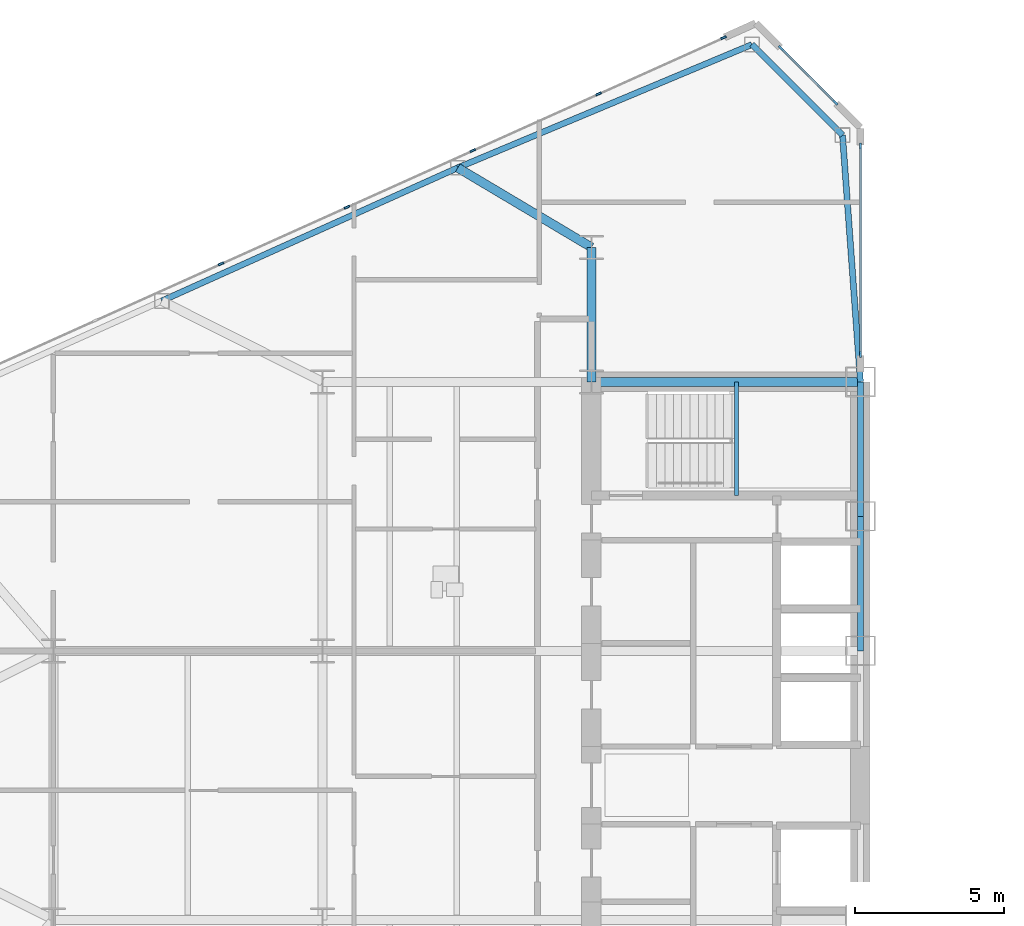
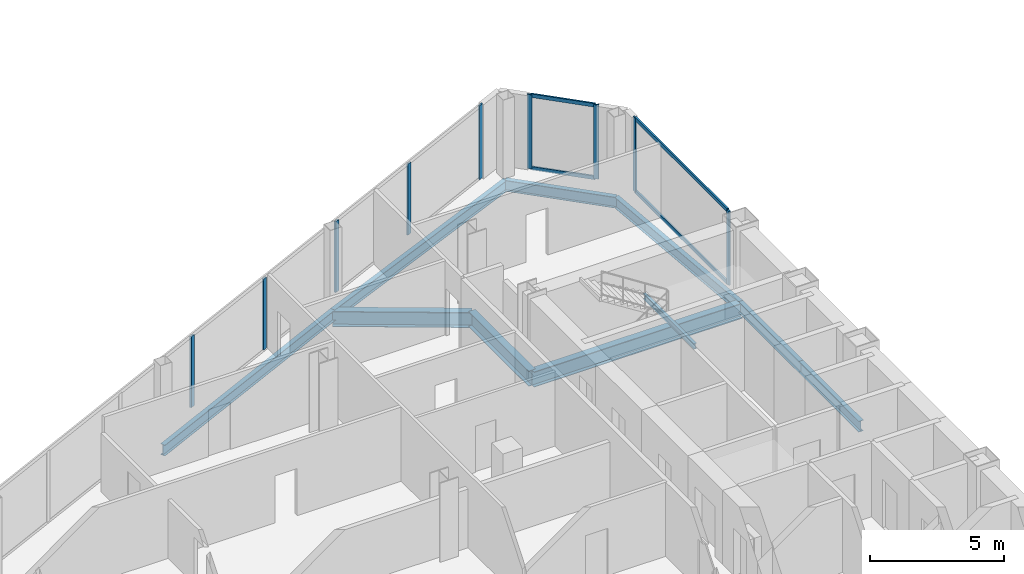
# One storey, part 9 of 27: 13 members, 10 beams, 3 elements without a shape of their own.
"""IFC4 building model written with IfcOpenShell, lengths in metres."""

from ifc_helpers import new_model, si_unit, direction, frame, origin, origin_2d, place, context, subcontext, project, spatial, rectangle, i_section, extrude, source, transform, mapped, material, layer, layer_set, material_profile, profile_set, type_object, type_shapes, element, aggregate, save


model = new_model("IFC4")

# Units and contexts
model_context = context("Model", 3, precision=1e-05, world=origin(), true_north=direction((0.0, 1.0)))
body_context = subcontext(model_context, "Body", "Model", "MODEL_VIEW")
ifc_project = project(units=[si_unit("LENGTHUNIT", "METRE"), si_unit("AREAUNIT", "SQUARE_METRE"), si_unit("VOLUMEUNIT", "CUBIC_METRE"), si_unit("PLANEANGLEUNIT", "RADIAN"), si_unit("MASSUNIT", "GRAM", prefix="KILO")], contexts=[model_context])

# Site, building, storey
site_placement = place(None, origin())
site = spatial("IfcSite", under=ifc_project, at=site_placement, CompositionType="ELEMENT")
building_placement = place(site_placement, origin())
building = spatial("IfcBuilding", under=site, at=building_placement, Name="Seokmaru Belvedere", CompositionType="ELEMENT")
storey_placement = place(building_placement, frame((0.0, 0.0, 69.300048828125)))
storey = spatial("IfcBuildingStorey", under=building, at=storey_placement, Name="L18", CompositionType="ELEMENT", Elevation=69.300048828125)

# Beams
ifc_material_1 = material(Name="Steel SM355 (355 MPa)", Category="steel")
ifc_material_profile_1 = material_profile(ifc_material_1, i_section(OverallWidth=0.199951171875, OverallDepth=0.5, WebThickness=0.010009765625, FlangeThickness=0.01611328125, at=origin_2d()), Name="H-500x200x10x16")
ifc_profile_set_1 = profile_set([ifc_material_profile_1], Name="Steel SM355 (355 MPa)")
beam_type_1 = type_object("IfcBeamType", Name="Perimeter Spandrel Beam H-500", PredefinedType="SPANDREL", material=ifc_profile_set_1)
shared_shape_1 = source(origin(), body_context, "Body", "SweptSolid", [
    extrude(i_section(OverallWidth=0.199951171875, OverallDepth=0.5, WebThickness=0.010009765625, FlangeThickness=0.01611328125, at=origin_2d()), origin(), (0.0, 0.0, 1.0), 4.5),
])
for number, where, z_axis, x_axis, name in (
    (1, (-27.5, 4.5, -0.469970703125), (0.0, 1.0, 0.0), (-1.0, 0.0, 0.0), "L18 W Portal Spine Spandrel 4"),
    (2, (-27.5, 9.0, -0.469970703125), (0.0, 1.0, 0.0), (-1.0, 0.0, 0.0), "L18 W Portal Spine Spandrel 5"),
):
    element("IfcBeam", number, at=place(storey_placement, frame(where, z_axis=z_axis, x_axis=x_axis)), inside=storey, type_object=beam_type_1, Name=name, PredefinedType="SPANDREL", context=body_context, shape_type="MappedRepresentation", body=[
        mapped(shared_shape_1, transform((0.0, 0.0, 0.0), scale=1.0)),
    ])
ifc_material_profile_2 = material_profile(ifc_material_1, i_section(OverallWidth=0.300048828125, OverallDepth=0.699951171875, WebThickness=0.012939453125, FlangeThickness=0.02392578125, at=origin_2d()), Name="H-700x300x13x24")
ifc_profile_set_2 = profile_set([ifc_material_profile_2], Name="Steel SM355 (355 MPa)")
beam_type_2 = type_object("IfcBeamType", Name="Primary Floor Girder H-700", PredefinedType="BEAM", material=ifc_profile_set_2)
shared_shape_2 = source(origin(), body_context, "Body", "SweptSolid", [
    extrude(i_section(OverallWidth=0.300048828125, OverallDepth=0.699951171875, WebThickness=0.012939453125, FlangeThickness=0.02392578125, at=origin_2d()), origin(), (0.0, 0.0, 1.0), 4.5),
])
beam_1_placement = place(storey_placement, frame((-36.5, 13.5, -0.570068359375), z_axis=(0.0, 1.0, 0.0), x_axis=(-1.0, 0.0, 0.0)))
element("IfcBeam", 3, at=beam_1_placement, inside=storey, type_object=beam_type_2, Name="L18 W Core Shoulder Girder N", PredefinedType="BEAM", context=body_context, shape_type="MappedRepresentation", body=[
    mapped(shared_shape_2, transform((0.0, 0.0, 0.0), scale=1.0)),
])
shared_shape_3 = source(origin(), body_context, "Body", "SweptSolid", [
    extrude(i_section(OverallWidth=0.300048828125, OverallDepth=0.699951171875, WebThickness=0.012939453125, FlangeThickness=0.02392578125, at=origin_2d()), origin(), (0.0, 0.0, 1.0), 9.0),
])
beam_2_placement = place(storey_placement, frame((-36.5, 13.5, -0.570068359375), z_axis=(1.0, 0.0, 0.0), x_axis=(0.0, 1.0, 0.0)))
element("IfcBeam", 4, at=beam_2_placement, inside=storey, type_object=beam_type_2, Name="L18 W Core Tie Girder 4", PredefinedType="BEAM", context=body_context, shape_type="MappedRepresentation", body=[
    mapped(shared_shape_3, transform((0.0, 0.0, 0.0), scale=1.0)),
])
shared_shape_4 = source(origin(), body_context, "Body", "SweptSolid", [
    extrude(i_section(OverallWidth=0.199951171875, OverallDepth=0.5, WebThickness=0.010009765625, FlangeThickness=0.01611328125, at=origin_2d()), origin(), (0.0, 0.0, 1.0), 10.66943359375),
])
beam_3_placement = place(storey_placement, frame((-31.13134765625, 24.782958984375, -0.469970703125), z_axis=(-0.922375393128, -0.386294750355, 0.0), x_axis=(0.386294750355, -0.922375393128, 0.0)))
element("IfcBeam", 5, at=beam_3_placement, inside=storey, type_object=beam_type_1, Name="L18 W Faceted Flank Spandrel N-1", PredefinedType="SPANDREL", context=body_context, shape_type="MappedRepresentation", body=[
    mapped(shared_shape_4, transform((0.0, 0.0, 0.0), scale=1.0)),
])
shared_shape_5 = source(origin(), body_context, "Body", "SweptSolid", [
    extrude(i_section(OverallWidth=0.199951171875, OverallDepth=0.5, WebThickness=0.010009765625, FlangeThickness=0.01611328125, at=origin_2d()), origin(), (0.0, 0.0, 1.0), 10.85888671875),
])
beam_4_placement = place(storey_placement, frame((-40.97265625, 20.661376953125, -0.469970703125), z_axis=(-0.911921505175, -0.410364677329, 0.0), x_axis=(0.410364677329, -0.911921505175, 0.0)))
element("IfcBeam", 6, at=beam_4_placement, inside=storey, type_object=beam_type_1, Name="L18 W Faceted Flank Spandrel N-2", PredefinedType="SPANDREL", context=body_context, shape_type="MappedRepresentation", body=[
    mapped(shared_shape_5, transform((0.0, 0.0, 0.0), scale=1.0)),
])
shared_shape_6 = source(origin(), body_context, "Body", "SweptSolid", [
    extrude(i_section(OverallWidth=0.199951171875, OverallDepth=0.5, WebThickness=0.010009765625, FlangeThickness=0.01611328125, at=origin_2d()), origin(), (0.0, 0.0, 1.0), 4.287109375),
])
beam_5_placement = place(storey_placement, frame((-31.13134765625, 24.782958984375, -0.469970703125), z_axis=(0.707078306132, -0.707135255094, 0.0), x_axis=(0.707135255094, 0.707078306132, 0.0)))
element("IfcBeam", 7, at=beam_5_placement, inside=storey, type_object=beam_type_1, Name="L18 W Shoulder Chamfer Spandrel N", PredefinedType="SPANDREL", context=body_context, shape_type="MappedRepresentation", body=[
    mapped(shared_shape_6, transform((0.0, 0.0, 0.0), scale=1.0)),
])
shared_shape_7 = source(origin(), body_context, "Body", "SweptSolid", [
    extrude(i_section(OverallWidth=0.199951171875, OverallDepth=0.5, WebThickness=0.010009765625, FlangeThickness=0.01611328125, at=origin_2d()), origin(), (0.0, 0.0, 1.0), 8.273193359375),
])
type_shapes(beam_type_1, [shared_shape_1, shared_shape_4, shared_shape_5, shared_shape_6, shared_shape_7])
beam_6_placement = place(storey_placement, frame((-28.10009765625, 21.75146484375, -0.469970703125), z_axis=(0.072534628348, -0.99736589459, 0.0), x_axis=(0.99736589459, 0.072534628348, 0.0)))
element("IfcBeam", 8, at=beam_6_placement, inside=storey, type_object=beam_type_1, Name="L18 W Shoulder Spine Spandrel N", PredefinedType="SPANDREL", context=body_context, shape_type="MappedRepresentation", body=[
    mapped(shared_shape_7, transform((0.0, 0.0, 0.0), scale=1.0)),
])
shared_shape_8 = source(origin(), body_context, "Body", "SweptSolid", [
    extrude(i_section(OverallWidth=0.300048828125, OverallDepth=0.699951171875, WebThickness=0.012939453125, FlangeThickness=0.02392578125, at=origin_2d()), origin(), (0.0, 0.0, 1.0), 5.20458984375),
])
type_shapes(beam_type_2, [shared_shape_2, shared_shape_3, shared_shape_8])
beam_7_placement = place(storey_placement, frame((-40.97265625, 20.661376953125, -0.570068359375), z_axis=(0.859370434188, -0.511353553662, 0.0), x_axis=(0.511353553662, 0.859370434188, 0.0)))
element("IfcBeam", 9, at=beam_7_placement, inside=storey, type_object=beam_type_2, Name="L18 W Flank Radial Floor Girder N-1", PredefinedType="BEAM", context=body_context, shape_type="MappedRepresentation", body=[
    mapped(shared_shape_8, transform((0.0, 0.0, 0.0), scale=1.0)),
])

# Curtain wall, members
ifc_material_2 = material(Name="Bronze Triple Insulating Glass", Category="glass")
ifc_layer = layer(ifc_material_2, 0.195068359375)
ifc_layer_set = layer_set([ifc_layer], Name="Bronze Triple Insulating Glass")
curtain_wall_type = type_object("IfcCurtainWallType", Name="Lower-Mid Tapered Curtain Wall System CW-3", PredefinedType="NOTDEFINED", material=ifc_layer_set)
curtain_wall_1_placement = place(storey_placement, origin())
curtain_wall_1 = element("IfcCurtainWall", 10, at=curtain_wall_1_placement, inside=storey, type_object=curtain_wall_type, Name="L18 Curtain Wall WSP_2", PredefinedType="NOTDEFINED")
ifc_material_3 = material(Name="Anodised Bronze Aluminium", Category="aluminium")
ifc_material_profile_3 = material_profile(ifc_material_3, rectangle(XDim=0.070068359375, YDim=0.195068359375, at=origin_2d()), Name="CW-M-70x195")
ifc_profile_set_3 = profile_set([ifc_material_profile_3], Name="Anodised Bronze Aluminium")
member_type_1 = type_object("IfcMemberType", Name="Bronze Unitised Mullion 70x195", PredefinedType="MULLION", material=ifc_profile_set_3)
shared_shape_9 = source(origin(), body_context, "Body", "SweptSolid", [
    extrude(rectangle(XDim=0.070068359375, YDim=0.195068359375, at=origin_2d()), origin(), (0.0, 0.0, 1.0), 3.3798828125),
])
member_1_placement = place(storey_placement, frame((-27.5, 14.4150390625, 0.0), z_axis=(0.0, 0.0, 1.0), x_axis=(-1.0, 0.0, 0.0)))
member_1 = element("IfcMember", 11, at=member_1_placement, type_object=member_type_1, Name="CW:L18:WSP_2 Mullion 1", PredefinedType="MULLION", context=body_context, shape_type="MappedRepresentation", body=[
    mapped(shared_shape_9, transform((0.0, 0.0, 0.0), scale=1.0)),
])
member_2_placement = place(storey_placement, frame((-27.5, 21.39501953125, 0.0), z_axis=(0.0, 0.0, 1.0), x_axis=(-1.0, 0.0, 0.0)))
member_2 = element("IfcMember", 12, at=member_2_placement, type_object=member_type_1, Name="CW:L18:WSP_2 Mullion 2", PredefinedType="MULLION", context=body_context, shape_type="MappedRepresentation", body=[
    mapped(shared_shape_9, transform((0.0, 0.0, 0.0), scale=1.0)),
])

curtain_wall_2_placement = place(storey_placement, origin())
curtain_wall_2 = element("IfcCurtainWall", 13, at=curtain_wall_2_placement, inside=storey, type_object=curtain_wall_type, Name="L18 Curtain Wall WF2", PredefinedType="NOTDEFINED")
member_3_placement = place(storey_placement, frame((-28.337890625, 22.837890625, 0.0), z_axis=(0.0, 0.0, 1.0), x_axis=(-0.707106781187, -0.707106781187, 0.0)))
member_3 = element("IfcMember", 14, at=member_3_placement, type_object=member_type_1, Name="CW:L18:WF2 Mullion 1", PredefinedType="MULLION", context=body_context, shape_type="MappedRepresentation", body=[
    mapped(shared_shape_9, transform((0.0, 0.0, 0.0), scale=1.0)),
])
member_4_placement = place(storey_placement, frame((-30.162109375, 24.662109375, 0.0), z_axis=(0.0, 0.0, 1.0), x_axis=(-0.707106781187, -0.707106781187, 0.0)))
member_4 = element("IfcMember", 15, at=member_4_placement, type_object=member_type_1, Name="CW:L18:WF2 Mullion 2", PredefinedType="MULLION", context=body_context, shape_type="MappedRepresentation", body=[
    mapped(shared_shape_9, transform((0.0, 0.0, 0.0), scale=1.0)),
])

# Curtain wall, member
curtain_wall_3_placement = place(storey_placement, origin())
curtain_wall_3 = element("IfcCurtainWall", 16, at=curtain_wall_3_placement, inside=storey, type_object=curtain_wall_type, Name="L18 Curtain Wall WF3", PredefinedType="NOTDEFINED")
member_5_placement = place(storey_placement, frame((-32.08056640625, 25.013671875, 0.0), z_axis=(0.0, 0.0, 1.0), x_axis=(0.41036554765, -0.91192111353, 0.0)))
member_5 = element("IfcMember", 17, at=member_5_placement, type_object=member_type_1, Name="CW:L18:WF3 Mullion 1", PredefinedType="MULLION", context=body_context, shape_type="MappedRepresentation", body=[
    mapped(shared_shape_9, transform((0.0, 0.0, 0.0), scale=1.0)),
])

# Member
ifc_material_profile_4 = material_profile(ifc_material_3, rectangle(XDim=0.070068359375, YDim=0.1650390625, at=origin_2d()), Name="CW-T-70x165")
ifc_profile_set_4 = profile_set([ifc_material_profile_4], Name="Anodised Bronze Aluminium")
member_type_2 = type_object("IfcMemberType", Name="Bronze Unitised Transom 70x165", PredefinedType="USERDEFINED", material=ifc_profile_set_4)
shared_shape_10 = source(origin(), body_context, "Body", "SweptSolid", [
    extrude(rectangle(XDim=0.070068359375, YDim=0.1650390625, at=origin_2d()), origin(), (0.0, 0.0, 1.0), 6.91015625),
])
member_6_placement = place(storey_placement, frame((-27.5, 14.449951171875, 0.034912109375), z_axis=(0.0, 1.0, 0.0), x_axis=(-1.0, 0.0, 0.0)))
member_6 = element("IfcMember", 18, at=member_6_placement, type_object=member_type_2, Name="CW:L18:WSP_2 Continuous Transom 1", ObjectType="TRANSOM", PredefinedType="USERDEFINED", context=body_context, shape_type="MappedRepresentation", body=[
    mapped(shared_shape_10, transform((0.0, 0.0, 0.0), scale=1.0)),
])

member_7_placement = place(storey_placement, frame((-27.5, 14.449951171875, 3.344970703125), z_axis=(0.0, 1.0, 0.0), x_axis=(-1.0, 0.0, 0.0)))
member_7 = element("IfcMember", 19, at=member_7_placement, type_object=member_type_2, Name="CW:L18:WSP_2 Continuous Transom 2", ObjectType="TRANSOM", PredefinedType="USERDEFINED", context=body_context, shape_type="MappedRepresentation", body=[
    mapped(shared_shape_10, transform((0.0, 0.0, 0.0), scale=1.0)),
])

aggregate(curtain_wall_1, [member_1, member_2, member_6, member_7])

shared_shape_11 = source(origin(), body_context, "Body", "SweptSolid", [
    extrude(rectangle(XDim=0.070068359375, YDim=0.1650390625, at=origin_2d()), origin(), (0.0, 0.0, 1.0), 2.509521484375),
])
type_shapes(member_type_2, [shared_shape_10, shared_shape_11])
member_8_placement = place(storey_placement, frame((-28.36279296875, 22.86279296875, 0.034912109375), z_axis=(-0.707106781187, 0.707106781187, 0.0), x_axis=(-0.707106781187, -0.707106781187, 0.0)))
member_8 = element("IfcMember", 20, at=member_8_placement, type_object=member_type_2, Name="CW:L18:WF2 Continuous Transom 1", ObjectType="TRANSOM", PredefinedType="USERDEFINED", context=body_context, shape_type="MappedRepresentation", body=[
    mapped(shared_shape_11, transform((0.0, 0.0, 0.0), scale=1.0)),
])

member_9_placement = place(storey_placement, frame((-28.36279296875, 22.86279296875, 3.344970703125), z_axis=(-0.707106781187, 0.707106781187, 0.0), x_axis=(-0.707106781187, -0.707106781187, 0.0)))
member_9 = element("IfcMember", 21, at=member_9_placement, type_object=member_type_2, Name="CW:L18:WF2 Continuous Transom 2", ObjectType="TRANSOM", PredefinedType="USERDEFINED", context=body_context, shape_type="MappedRepresentation", body=[
    mapped(shared_shape_11, transform((0.0, 0.0, 0.0), scale=1.0)),
])

aggregate(curtain_wall_2, [member_3, member_4, member_8, member_9])

shared_shape_12 = source(origin(), body_context, "Body", "SweptSolid", [
    extrude(rectangle(XDim=0.070068359375, YDim=0.195068359375, at=origin_2d()), origin(), (0.0, 0.0, 1.0), 3.239990234375),
])
type_shapes(member_type_1, [shared_shape_9, shared_shape_12])
member_10_placement = place(storey_placement, frame((-36.260009765625, 23.133056640625, 0.070068359375), z_axis=(0.0, 0.0, 1.0), x_axis=(0.41036554765, -0.91192111353, 0.0)))
member_10 = element("IfcMember", 22, at=member_10_placement, type_object=member_type_1, Name="CW:L18:WF3 Mullion 2", PredefinedType="MULLION", context=body_context, shape_type="MappedRepresentation", body=[
    mapped(shared_shape_12, transform((0.0, 0.0, 0.0), scale=1.0)),
])

member_11_placement = place(storey_placement, frame((-40.471435546875, 21.23779296875, 0.070068359375), z_axis=(0.0, 0.0, 1.0), x_axis=(0.41036554765, -0.91192111353, 0.0)))
member_11 = element("IfcMember", 23, at=member_11_placement, type_object=member_type_1, Name="CW:L18:WF3 Mullion 3", PredefinedType="MULLION", context=body_context, shape_type="MappedRepresentation", body=[
    mapped(shared_shape_12, transform((0.0, 0.0, 0.0), scale=1.0)),
])

member_12_placement = place(storey_placement, frame((-44.682861328125, 19.3427734375, 0.070068359375), z_axis=(0.0, 0.0, 1.0), x_axis=(0.41036554765, -0.91192111353, 0.0)))
member_12 = element("IfcMember", 24, at=member_12_placement, type_object=member_type_1, Name="CW:L18:WF3 Mullion 4", PredefinedType="MULLION", context=body_context, shape_type="MappedRepresentation", body=[
    mapped(shared_shape_12, transform((0.0, 0.0, 0.0), scale=1.0)),
])

member_13_placement = place(storey_placement, frame((-48.894287109375, 17.447509765625, 0.070068359375), z_axis=(0.0, 0.0, 1.0), x_axis=(0.41036554765, -0.91192111353, 0.0)))
member_13 = element("IfcMember", 25, at=member_13_placement, type_object=member_type_1, Name="CW:L18:WF3 Mullion 5", PredefinedType="MULLION", context=body_context, shape_type="MappedRepresentation", body=[
    mapped(shared_shape_12, transform((0.0, 0.0, 0.0), scale=1.0)),
])

aggregate(curtain_wall_3, [member_5, member_10, member_11, member_12, member_13])

# Beam
ifc_material_profile_5 = material_profile(ifc_material_1, i_section(OverallWidth=0.125, OverallDepth=0.25, WebThickness=0.006103515625, FlangeThickness=0.009033203125, at=origin_2d()), Name="H-250x125x6x9")
ifc_profile_set_5 = profile_set([ifc_material_profile_5], Name="Steel SM355 (355 MPa)")
beam_type_3 = type_object("IfcBeamType", Name="Stair Mid-Landing Support Beam H-250", PredefinedType="JOIST", material=ifc_profile_set_5)
shared_shape_13 = source(origin(), body_context, "Body", "SweptSolid", [
    extrude(i_section(OverallWidth=0.125, OverallDepth=0.25, WebThickness=0.006103515625, FlangeThickness=0.009033203125, at=origin_2d()), origin(), (0.0, 0.0, 1.0), 3.800048828125),
])
type_shapes(beam_type_3, [shared_shape_13])
beam_8_placement = place(storey_placement, frame((-31.64990234375, 9.699951171875, 1.474853515625), z_axis=(0.0, 1.0, 0.0), x_axis=(-1.0, 0.0, 0.0)))
element("IfcBeam", 26, at=beam_8_placement, inside=storey, type_object=beam_type_3, Name="L18 Stair ST-W2 Mid-Landing Support Beam 1", PredefinedType="JOIST", context=body_context, shape_type="MappedRepresentation", body=[
    mapped(shared_shape_13, transform((0.0, 0.0, 0.0), scale=1.0)),
])

save(model, "model.ifc")
